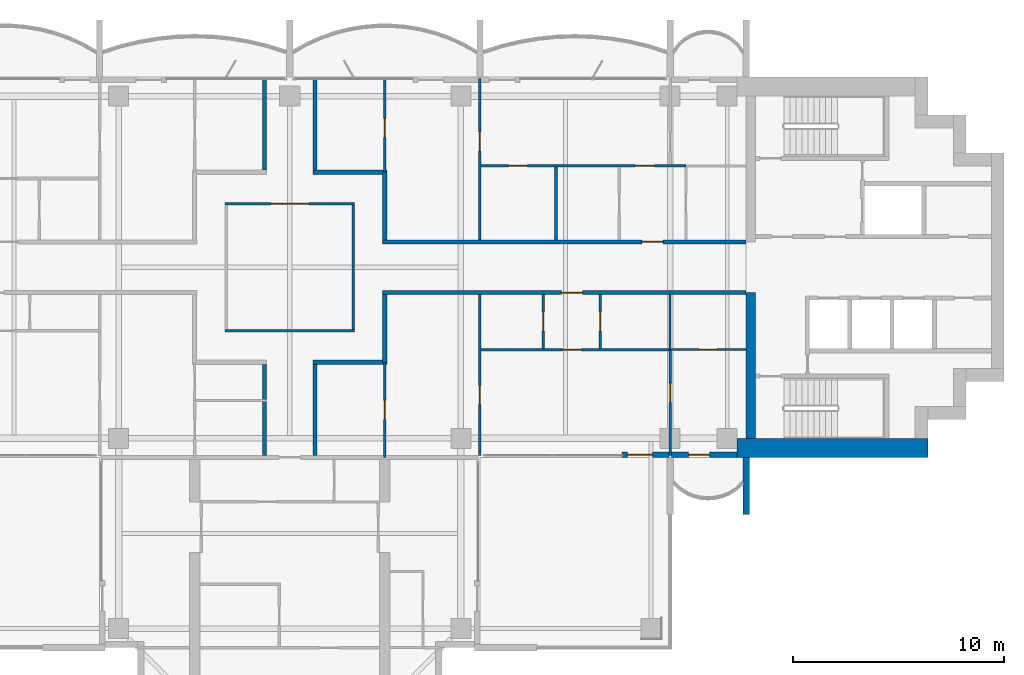
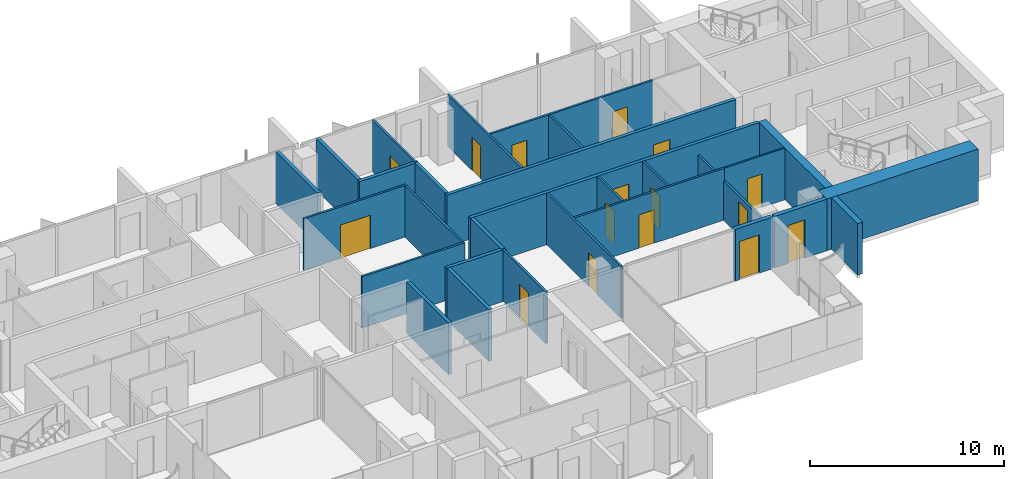
# One storey, part 11 of 17: 30 walls, 16 doors, 16 openings.
"""IFC4 building model written with IfcOpenShell, lengths in metres."""

from ifc_helpers import new_model, si_unit, direction, frame, frame_2d, origin, place, context, subcontext, project, spatial, rectangle, extrude, material, layer, layer_set, type_object, element, fill, save


model = new_model("IFC4")

# Units and contexts
model_context = context("Model", 3, precision=1e-05, world=origin(), true_north=direction((0.0, 1.0)))
body_context = subcontext(model_context, "Body", "Model", "MODEL_VIEW")
ifc_project = project(units=[si_unit("LENGTHUNIT", "METRE"), si_unit("AREAUNIT", "SQUARE_METRE"), si_unit("VOLUMEUNIT", "CUBIC_METRE"), si_unit("PLANEANGLEUNIT", "RADIAN"), si_unit("MASSUNIT", "GRAM", prefix="KILO")], contexts=[model_context])

# Site, building, storey
site_placement = place(None, origin())
site = spatial("IfcSite", under=ifc_project, at=site_placement, CompositionType="ELEMENT")
building_placement = place(site_placement, origin())
building = spatial("IfcBuilding", under=site, at=building_placement, Name="Perihelion Cross Residences", CompositionType="ELEMENT")
storey_placement = place(building_placement, frame((0.0, 0.0, 201.60009765625)))
storey = spatial("IfcBuildingStorey", under=building, at=storey_placement, Name="L50", CompositionType="ELEMENT", Elevation=201.60009765625)

# Wall, opening, door
ifc_material_1 = material(Name="Plasterboard partition")
ifc_layer_1 = layer(ifc_material_1, 0.199951171875)
ifc_layer_set_1 = layer_set([ifc_layer_1], Name="Apartment separation wall 200")
wall_type_1 = type_object("IfcWallType", Name="Apartment separation wall 200", PredefinedType="PARTITIONING", material=ifc_layer_set_1)
wall_1_placement = place(storey_placement, frame((4.39990234375, 1.199951171875, 0.0), z_axis=(0.0, 0.0, 1.0), x_axis=(1.0, 0.0, 0.0)))
wall_1 = element("IfcWall", 1, at=wall_1_placement, inside=storey, type_object=wall_type_1, Name="Partition L50 W005", PredefinedType="PARTITIONING", context=body_context, shape_type="SweptSolid", body=[
    extrude(rectangle(XDim=17.2001953125, YDim=0.199951171875, at=frame_2d((8.60009765625, 0.0))), origin(), (0.0, 0.0, 1.0), 3.25),
])
opening_1_placement = place(wall_1_placement, frame((12.27490234375, 0.0, 0.0)))
opening_1 = element("IfcOpeningElement", 2, at=opening_1_placement, cuts=wall_1, Name="Opening L50.A38", PredefinedType="OPENING", context=body_context, shape_type="SweptSolid", body=[
    extrude(rectangle(XDim=1.0, YDim=2.10009765625, at=frame_2d((0.5, 1.050048828125))), frame((0.0, 0.10986328125, 0.0), z_axis=(0.0, -1.0, 0.0), x_axis=(1.0, 0.0, 0.0)), (0.0, 0.0, 1.0), 0.219970703125),
])
ifc_material_2 = material(Name="Timber door leaf", Category="wood")
door_type_1 = type_object("IfcDoorType", Name="Flat entrance door 1000 x 2100", OperationType="SINGLE_SWING_LEFT", PredefinedType="DOOR", material=ifc_material_2)
door_1_placement = place(opening_1_placement, origin())
door_1 = element("IfcDoor", 3, at=door_1_placement, inside=storey, type_object=door_type_1, Name="Door L50.A38", OperationType="SINGLE_SWING_LEFT", OverallHeight=2.10009765625, OverallWidth=1.0, PredefinedType="DOOR", context=body_context, shape_type="SweptSolid", body=[
    extrude(rectangle(XDim=1.0, YDim=2.10009765625, at=frame_2d((0.5, 1.050048828125))), frame((0.0, 0.02490234375, 0.0), z_axis=(0.0, -1.0, 0.0), x_axis=(1.0, 0.0, 0.0)), (0.0, 0.0, 1.0), 0.050048828125),
])
fill(opening_1, door_1)

# Walls
wall_2_placement = place(storey_placement, frame((4.5, 4.5, 0.0), z_axis=(0.0, 0.0, 1.0), x_axis=(0.0, -1.0, 0.0)))
element("IfcWall", 4, at=wall_2_placement, inside=storey, type_object=wall_type_1, Name="Partition L50 W006", PredefinedType="PARTITIONING", context=body_context, shape_type="SweptSolid", body=[
    extrude(rectangle(XDim=3.199951171875, YDim=0.199951171875, at=frame_2d((1.60009765625, 0.0))), origin(), (0.0, 0.0, 1.0), 3.25),
])
wall_3_placement = place(storey_placement, frame((1.199951171875, 8.919921875, 0.0), z_axis=(0.0, 0.0, 1.0), x_axis=(0.0, -1.0, 0.0)))
element("IfcWall", 5, at=wall_3_placement, inside=storey, type_object=wall_type_1, Name="Partition L50 W007", PredefinedType="PARTITIONING", context=body_context, shape_type="SweptSolid", body=[
    extrude(rectangle(XDim=4.31982421875, YDim=0.199951171875, at=frame_2d((2.159912109375, 0.0))), origin(), (0.0, 0.0, 1.0), 3.25),
])
wall_4_placement = place(storey_placement, frame((1.10009765625, 4.5, 0.0), z_axis=(0.0, 0.0, 1.0), x_axis=(1.0, 0.0, 0.0)))
element("IfcWall", 6, at=wall_4_placement, inside=storey, type_object=wall_type_1, Name="Partition L50 W008", PredefinedType="PARTITIONING", context=body_context, shape_type="SweptSolid", body=[
    extrude(rectangle(XDim=3.5, YDim=0.199951171875, at=frame_2d((1.75, 0.0))), origin(), (0.0, 0.0, 1.0), 3.25),
])

# Wall, opening, door
wall_5_placement = place(storey_placement, frame((21.60009765625, -1.199951171875, 0.0), z_axis=(0.0, 0.0, 1.0), x_axis=(-1.0, 0.0, 0.0)))
wall_5 = element("IfcWall", 7, at=wall_5_placement, inside=storey, type_object=wall_type_1, Name="Partition L50 W009", PredefinedType="PARTITIONING", context=body_context, shape_type="SweptSolid", body=[
    extrude(rectangle(XDim=17.2001953125, YDim=0.199951171875, at=frame_2d((8.60009765625, 0.0))), origin(), (0.0, 0.0, 1.0), 3.25),
])
opening_2_placement = place(wall_5_placement, frame((7.75, 0.0, 0.0)))
opening_2 = element("IfcOpeningElement", 8, at=opening_2_placement, cuts=wall_5, Name="Opening L50.A39", PredefinedType="OPENING", context=body_context, shape_type="SweptSolid", body=[
    extrude(rectangle(XDim=1.0, YDim=2.10009765625, at=frame_2d((0.5, 1.050048828125))), frame((0.0, 0.10986328125, 0.0), z_axis=(0.0, -1.0, 0.0), x_axis=(1.0, 0.0, 0.0)), (0.0, 0.0, 1.0), 0.219970703125),
])
door_2_placement = place(opening_2_placement, origin())
door_2 = element("IfcDoor", 9, at=door_2_placement, inside=storey, type_object=door_type_1, Name="Door L50.A39", OperationType="SINGLE_SWING_LEFT", OverallHeight=2.10009765625, OverallWidth=1.0, PredefinedType="DOOR", context=body_context, shape_type="SweptSolid", body=[
    extrude(rectangle(XDim=1.0, YDim=2.10009765625, at=frame_2d((0.5, 1.050048828125))), frame((0.0, 0.02490234375, 0.0), z_axis=(0.0, -1.0, 0.0), x_axis=(1.0, 0.0, 0.0)), (0.0, 0.0, 1.0), 0.050048828125),
])
fill(opening_2, door_2)

# Walls
wall_6_placement = place(storey_placement, frame((4.5, -1.300048828125, 0.0), z_axis=(0.0, 0.0, 1.0), x_axis=(0.0, -1.0, 0.0)))
element("IfcWall", 10, at=wall_6_placement, inside=storey, type_object=wall_type_1, Name="Partition L50 W010", PredefinedType="PARTITIONING", context=body_context, shape_type="SweptSolid", body=[
    extrude(rectangle(XDim=3.199951171875, YDim=0.199951171875, at=frame_2d((1.60009765625, 0.0))), origin(), (0.0, 0.0, 1.0), 3.25),
])
wall_7_placement = place(storey_placement, frame((4.60009765625, -4.5, 0.0), z_axis=(0.0, 0.0, 1.0), x_axis=(-1.0, 0.0, 0.0)))
element("IfcWall", 11, at=wall_7_placement, inside=storey, type_object=wall_type_1, Name="Partition L50 W011", PredefinedType="PARTITIONING", context=body_context, shape_type="SweptSolid", body=[
    extrude(rectangle(XDim=3.5, YDim=0.199951171875, at=frame_2d((1.75, 0.0))), origin(), (0.0, 0.0, 1.0), 3.25),
])
wall_8_placement = place(storey_placement, frame((1.199951171875, -4.60009765625, 0.0), z_axis=(0.0, 0.0, 1.0), x_axis=(0.0, -1.0, 0.0)))
element("IfcWall", 12, at=wall_8_placement, inside=storey, type_object=wall_type_1, Name="Partition L50 W012", PredefinedType="PARTITIONING", context=body_context, shape_type="SweptSolid", body=[
    extrude(rectangle(XDim=4.2998046875, YDim=0.199951171875, at=frame_2d((2.14990234375, 0.0))), origin(), (0.0, 0.0, 1.0), 3.25),
])
wall_9_placement = place(storey_placement, frame((-1.199951171875, 4.60009765625, 0.0), z_axis=(0.0, 0.0, 1.0), x_axis=(0.0, 1.0, 0.0)))
element("IfcWall", 13, at=wall_9_placement, inside=storey, type_object=wall_type_1, Name="Partition L50 W016", PredefinedType="PARTITIONING", context=body_context, shape_type="SweptSolid", body=[
    extrude(rectangle(XDim=4.31982421875, YDim=0.199951171875, at=frame_2d((2.159912109375, 0.0))), origin(), (0.0, 0.0, 1.0), 3.25),
])
wall_10_placement = place(storey_placement, frame((-1.199951171875, -8.89990234375, 0.0), z_axis=(0.0, 0.0, 1.0), x_axis=(0.0, 1.0, 0.0)))
element("IfcWall", 14, at=wall_10_placement, inside=storey, type_object=wall_type_1, Name="Partition L50 W019", PredefinedType="PARTITIONING", context=body_context, shape_type="SweptSolid", body=[
    extrude(rectangle(XDim=4.2998046875, YDim=0.199951171875, at=frame_2d((2.14990234375, 0.0))), origin(), (0.0, 0.0, 1.0), 3.25),
])

# Wall, opening, door
ifc_material_3 = material(Name="Concrete C30/37, bronze-clad", Category="concrete")
ifc_layer_2 = layer(ifc_material_3, 0.25)
ifc_layer_set_2 = layer_set([ifc_layer_2], Name="Bronze-clad pier wall 250")
wall_type_2 = type_object("IfcWallType", Name="Bronze-clad pier wall 250", PredefinedType="SOLIDWALL", material=ifc_layer_set_2)
wall_11_placement = place(storey_placement, frame((15.72509765625, -8.875, 0.0), z_axis=(0.0, 0.0, 1.0), x_axis=(1.0, 0.0, 0.0)))
wall_11 = element("IfcWall", 15, at=wall_11_placement, inside=storey, type_object=wall_type_2, Name="Wall FW1 L50 east side south bay 1 pier", PredefinedType="SOLIDWALL", context=body_context, shape_type="SweptSolid", body=[
    extrude(rectangle(XDim=2.21484375, YDim=0.25, at=frame_2d((1.107421875, 0.0))), origin(), (0.0, 0.0, 1.0), 3.25),
])
opening_3_placement = place(wall_11_placement, frame((0.25, 0.0, 0.0)))
opening_3 = element("IfcOpeningElement", 16, at=opening_3_placement, cuts=wall_11, Name="Opening L50.E13", PredefinedType="OPENING", context=body_context, shape_type="SweptSolid", body=[
    extrude(rectangle(XDim=1.199951171875, YDim=2.39990234375, at=frame_2d((0.60009765625, 1.199951171875))), frame((0.0, 0.135009765625, 0.0), z_axis=(0.0, -1.0, 0.0), x_axis=(1.0, 0.0, 0.0)), (0.0, 0.0, 1.0), 0.27001953125),
])
ifc_material_4 = material(Name="Bronze anodised aluminium, glazed", Category="aluminium")
door_type_2 = type_object("IfcDoorType", Name="Balcony door 1200 x 2400", OperationType="NOTDEFINED", PredefinedType="DOOR", material=ifc_material_4)
door_3_placement = place(opening_3_placement, origin())
door_3 = element("IfcDoor", 17, at=door_3_placement, inside=storey, type_object=door_type_2, Name="Door L50.E13 east side south bay 1", OperationType="SINGLE_SWING_LEFT", OverallHeight=2.39990234375, OverallWidth=1.199951171875, PredefinedType="DOOR", context=body_context, shape_type="SweptSolid", body=[
    extrude(rectangle(XDim=1.199951171875, YDim=2.39990234375, at=frame_2d((0.60009765625, 1.199951171875))), frame((0.0, 0.02490234375, 0.0), z_axis=(0.0, -1.0, 0.0), x_axis=(1.0, 0.0, 0.0)), (0.0, 0.0, 1.0), 0.050048828125),
])
fill(opening_3, door_3)

wall_12_placement = place(storey_placement, frame((18.06005859375, -8.875, 0.0), z_axis=(0.0, 0.0, 1.0), x_axis=(1.0, 0.0, 0.0)))
wall_12 = element("IfcWall", 18, at=wall_12_placement, inside=storey, type_object=wall_type_2, Name="Wall FW1 L50 east side south bay 2 pier", PredefinedType="SOLIDWALL", context=body_context, shape_type="SweptSolid", body=[
    extrude(rectangle(XDim=3.114990234375, YDim=0.25, at=frame_2d((1.5576171875, 0.0))), origin(), (0.0, 0.0, 1.0), 3.25),
])
opening_4_placement = place(wall_12_placement, frame((0.81494140625, 0.0, 0.0)))
opening_4 = element("IfcOpeningElement", 19, at=opening_4_placement, cuts=wall_12, Name="Opening L50.E14", PredefinedType="OPENING", context=body_context, shape_type="SweptSolid", body=[
    extrude(rectangle(XDim=1.0, YDim=2.39990234375, at=frame_2d((0.5, 1.199951171875))), frame((0.0, 0.135009765625, 0.0), z_axis=(0.0, -1.0, 0.0), x_axis=(1.0, 0.0, 0.0)), (0.0, 0.0, 1.0), 0.27001953125),
])
ifc_material_5 = material(Name="Bronze anodised aluminium, glazed", Category="aluminium")
door_type_3 = type_object("IfcDoorType", Name="Balcony door 1000 x 2400", OperationType="NOTDEFINED", PredefinedType="DOOR", material=ifc_material_5)
door_4_placement = place(opening_4_placement, origin())
door_4 = element("IfcDoor", 20, at=door_4_placement, inside=storey, type_object=door_type_3, Name="Door L50.E14 east side south bay 2", OperationType="SINGLE_SWING_RIGHT", OverallHeight=2.39990234375, OverallWidth=1.0, PredefinedType="DOOR", context=body_context, shape_type="SweptSolid", body=[
    extrude(rectangle(XDim=1.0, YDim=2.39990234375, at=frame_2d((0.5, 1.199951171875))), frame((0.0, 0.02490234375, 0.0), z_axis=(0.0, -1.0, 0.0), x_axis=(1.0, 0.0, 0.0)), (0.0, 0.0, 1.0), 0.050048828125),
])
fill(opening_4, door_4)

# Walls
ifc_material_6 = material(Name="Concrete C60/75", Category="concrete")
ifc_layer_3 = layer(ifc_material_6, 0.449951171875)
ifc_layer_set_3 = layer_set([ifc_layer_3], Name="Core wall, inner 450")
wall_type_3 = type_object("IfcWallType", Name="Core wall, inner 450", PredefinedType="SHEAR", material=ifc_layer_set_3)
wall_13_placement = place(storey_placement, frame((21.824951171875, -8.10009765625, 0.0), z_axis=(0.0, 0.0, 1.0), x_axis=(0.0, 1.0, 0.0)))
element("IfcWall", 21, at=wall_13_placement, inside=storey, type_object=wall_type_3, Name="East core core wall, inner", PredefinedType="SHEAR", context=body_context, shape_type="SweptSolid", body=[
    extrude(rectangle(XDim=6.900146484375, YDim=0.449951171875, at=frame_2d((3.4501953125, 0.0))), origin(), (0.0, 0.0, 1.0), 3.25),
])
ifc_material_7 = material(Name="Concrete C60/75", Category="concrete")
ifc_layer_4 = layer(ifc_material_7, 0.89990234375)
ifc_layer_set_4 = layer_set([ifc_layer_4], Name="Core wall, outer 900")
wall_type_4 = type_object("IfcWallType", Name="Core wall, outer 900", PredefinedType="SHEAR", material=ifc_layer_set_4)
wall_14_placement = place(storey_placement, frame((21.175048828125, -8.550048828125, 0.0), z_axis=(0.0, 0.0, 1.0), x_axis=(1.0, 0.0, 0.0)))
element("IfcWall", 22, at=wall_14_placement, inside=storey, type_object=wall_type_4, Name="East core core wall, outer", PredefinedType="SHEAR", context=body_context, shape_type="SweptSolid", body=[
    extrude(rectangle(XDim=9.02490234375, YDim=0.89990234375, at=frame_2d((4.512451171875, 0.0))), origin(), (0.0, 0.0, 1.0), 3.25),
])
ifc_material_8 = material(Name="Plasterboard partition")
ifc_layer_5 = layer(ifc_material_8, 0.1201171875)
ifc_layer_set_5 = layer_set([ifc_layer_5], Name="Partition wall 120")
wall_type_5 = type_object("IfcWallType", Name="Partition wall 120", PredefinedType="PARTITIONING", material=ifc_layer_set_5)
wall_15_placement = place(storey_placement, frame((-3.06005859375, -3.0, 0.0), z_axis=(0.0, 0.0, 1.0), x_axis=(1.0, 0.0, 0.0)))
element("IfcWall", 23, at=wall_15_placement, inside=storey, type_object=wall_type_5, Name="Partition L50 W001", PredefinedType="PARTITIONING", context=body_context, shape_type="SweptSolid", body=[
    extrude(rectangle(XDim=6.1201171875, YDim=0.1201171875, at=frame_2d((3.06005859375, 0.0))), origin(), (0.0, 0.0, 1.0), 3.25),
])
wall_16_placement = place(storey_placement, frame((3.0, -2.93994140625, 0.0), z_axis=(0.0, 0.0, 1.0), x_axis=(0.0, 1.0, 0.0)))
element("IfcWall", 24, at=wall_16_placement, inside=storey, type_object=wall_type_5, Name="Partition L50 W002", PredefinedType="PARTITIONING", context=body_context, shape_type="SweptSolid", body=[
    extrude(rectangle(XDim=5.8798828125, YDim=0.1201171875, at=frame_2d((2.93994140625, 0.0))), origin(), (0.0, 0.0, 1.0), 3.25),
])

# Wall, opening, door
wall_17_placement = place(storey_placement, frame((3.06005859375, 3.0, 0.0), z_axis=(0.0, 0.0, 1.0), x_axis=(-1.0, 0.0, 0.0)))
wall_17 = element("IfcWall", 25, at=wall_17_placement, inside=storey, type_object=wall_type_5, Name="Partition L50 W003", PredefinedType="PARTITIONING", context=body_context, shape_type="SweptSolid", body=[
    extrude(rectangle(XDim=6.1201171875, YDim=0.1201171875, at=frame_2d((3.06005859375, 0.0))), origin(), (0.0, 0.0, 1.0), 3.25),
])
opening_5_placement = place(wall_17_placement, frame((2.159912109375, 0.0, 0.0)))
opening_5 = element("IfcOpeningElement", 26, at=opening_5_placement, cuts=wall_17, Name="Opening L50.A01", PredefinedType="OPENING", context=body_context, shape_type="SweptSolid", body=[
    extrude(rectangle(XDim=1.800048828125, YDim=2.10009765625, at=frame_2d((0.89990234375, 1.050048828125))), frame((0.0, 0.070068359375, 0.0), z_axis=(0.0, -1.0, 0.0), x_axis=(1.0, 0.0, 0.0)), (0.0, 0.0, 1.0), 0.14013671875),
])
ifc_material_9 = material(Name="Glazed timber door leaf", Category="wood")
door_type_4 = type_object("IfcDoorType", Name="Interior double leaf door 1800 x 2100", OperationType="DOUBLE_DOOR_SINGLE_SWING", PredefinedType="DOOR", material=ifc_material_9)
door_5_placement = place(opening_5_placement, origin())
door_5 = element("IfcDoor", 27, at=door_5_placement, inside=storey, type_object=door_type_4, Name="Door L50.A01", OperationType="SINGLE_SWING_LEFT", OverallHeight=2.10009765625, OverallWidth=1.800048828125, PredefinedType="DOOR", context=body_context, shape_type="SweptSolid", body=[
    extrude(rectangle(XDim=1.800048828125, YDim=2.10009765625, at=frame_2d((0.89990234375, 1.050048828125))), frame((0.0, 0.02490234375, 0.0), z_axis=(0.0, -1.0, 0.0), x_axis=(1.0, 0.0, 0.0)), (0.0, 0.0, 1.0), 0.050048828125),
])
fill(opening_5, door_5)

# Wall
wall_18_placement = place(storey_placement, frame((12.60009765625, 4.739990234375, 0.0), z_axis=(0.0, 0.0, 1.0), x_axis=(0.0, -1.0, 0.0)))
element("IfcWall", 28, at=wall_18_placement, inside=storey, type_object=wall_type_5, Name="Partition L50 W022", PredefinedType="PARTITIONING", context=body_context, shape_type="SweptSolid", body=[
    extrude(rectangle(XDim=3.43994140625, YDim=0.1201171875, at=frame_2d((1.719970703125, 0.0))), origin(), (0.0, 0.0, 1.0), 3.25),
])

# Wall, openings, doors
wall_19_placement = place(storey_placement, frame((8.93994140625, 4.800048828125, 0.0), z_axis=(0.0, 0.0, 1.0), x_axis=(1.0, 0.0, 0.0)))
wall_19 = element("IfcWall", 29, at=wall_19_placement, inside=storey, type_object=wall_type_5, Name="Partition L50 W023", PredefinedType="PARTITIONING", context=body_context, shape_type="SweptSolid", body=[
    extrude(rectangle(XDim=9.81005859375, YDim=0.1201171875, at=frame_2d((4.905029296875, 0.0))), origin(), (0.0, 0.0, 1.0), 3.25),
])
opening_6_placement = place(wall_19_placement, frame((1.409912109375, 0.0, 0.0)))
opening_6 = element("IfcOpeningElement", 30, at=opening_6_placement, cuts=wall_19, Name="Opening L50.A05", PredefinedType="OPENING", context=body_context, shape_type="SweptSolid", body=[
    extrude(rectangle(XDim=0.89990234375, YDim=2.10009765625, at=frame_2d((0.449951171875, 1.050048828125))), frame((0.0, 0.070068359375, 0.0), z_axis=(0.0, -1.0, 0.0), x_axis=(1.0, 0.0, 0.0)), (0.0, 0.0, 1.0), 0.14013671875),
])
opening_7_placement = place(wall_19_placement, frame((7.409912109375, 0.0, 0.0)))
opening_7 = element("IfcOpeningElement", 31, at=opening_7_placement, cuts=wall_19, Name="Opening L50.A06", PredefinedType="OPENING", context=body_context, shape_type="SweptSolid", body=[
    extrude(rectangle(XDim=0.89990234375, YDim=2.10009765625, at=frame_2d((0.449951171875, 1.050048828125))), frame((0.0, 0.070068359375, 0.0), z_axis=(0.0, -1.0, 0.0), x_axis=(1.0, 0.0, 0.0)), (0.0, 0.0, 1.0), 0.14013671875),
])
ifc_material_10 = material(Name="Timber door leaf", Category="wood")
door_type_5 = type_object("IfcDoorType", Name="Interior room door 900 x 2100", OperationType="SINGLE_SWING_LEFT", PredefinedType="DOOR", material=ifc_material_10)
door_6_placement = place(opening_6_placement, origin())
door_6 = element("IfcDoor", 32, at=door_6_placement, inside=storey, type_object=door_type_5, Name="Door L50.A05", OperationType="SINGLE_SWING_RIGHT", OverallHeight=2.10009765625, OverallWidth=0.89990234375, PredefinedType="DOOR", context=body_context, shape_type="SweptSolid", body=[
    extrude(rectangle(XDim=0.89990234375, YDim=2.10009765625, at=frame_2d((0.449951171875, 1.050048828125))), frame((0.0, 0.02490234375, 0.0), z_axis=(0.0, -1.0, 0.0), x_axis=(1.0, 0.0, 0.0)), (0.0, 0.0, 1.0), 0.050048828125),
])
fill(opening_6, door_6)
door_7_placement = place(opening_7_placement, origin())
door_7 = element("IfcDoor", 33, at=door_7_placement, inside=storey, type_object=door_type_5, Name="Door L50.A06", OperationType="SINGLE_SWING_LEFT", OverallHeight=2.10009765625, OverallWidth=0.89990234375, PredefinedType="DOOR", context=body_context, shape_type="SweptSolid", body=[
    extrude(rectangle(XDim=0.89990234375, YDim=2.10009765625, at=frame_2d((0.449951171875, 1.050048828125))), frame((0.0, 0.02490234375, 0.0), z_axis=(0.0, -1.0, 0.0), x_axis=(1.0, 0.0, 0.0)), (0.0, 0.0, 1.0), 0.050048828125),
])
fill(opening_7, door_7)

# Wall, opening, door
wall_20_placement = place(storey_placement, frame((9.0, 1.300048828125, 0.0), z_axis=(0.0, 0.0, 1.0), x_axis=(0.0, 1.0, 0.0)))
wall_20 = element("IfcWall", 34, at=wall_20_placement, inside=storey, type_object=wall_type_5, Name="Partition L50 W024", PredefinedType="PARTITIONING", context=body_context, shape_type="SweptSolid", body=[
    extrude(rectangle(XDim=7.619873046875, YDim=0.1201171875, at=frame_2d((3.81005859375, 0.0))), origin(), (0.0, 0.0, 1.0), 3.25),
])
opening_8_placement = place(wall_20_placement, frame((4.199951171875, 0.0, 0.0)))
opening_8 = element("IfcOpeningElement", 35, at=opening_8_placement, cuts=wall_20, Name="Opening L50.A07", PredefinedType="OPENING", context=body_context, shape_type="SweptSolid", body=[
    extrude(rectangle(XDim=0.89990234375, YDim=2.10009765625, at=frame_2d((0.449951171875, 1.050048828125))), frame((0.0, 0.070068359375, 0.0), z_axis=(0.0, -1.0, 0.0), x_axis=(1.0, 0.0, 0.0)), (0.0, 0.0, 1.0), 0.14013671875),
])
door_8_placement = place(opening_8_placement, origin())
door_8 = element("IfcDoor", 36, at=door_8_placement, inside=storey, type_object=door_type_5, Name="Door L50.A07", OperationType="SINGLE_SWING_LEFT", OverallHeight=2.10009765625, OverallWidth=0.89990234375, PredefinedType="DOOR", context=body_context, shape_type="SweptSolid", body=[
    extrude(rectangle(XDim=0.89990234375, YDim=2.10009765625, at=frame_2d((0.449951171875, 1.050048828125))), frame((0.0, 0.02490234375, 0.0), z_axis=(0.0, -1.0, 0.0), x_axis=(1.0, 0.0, 0.0)), (0.0, 0.0, 1.0), 0.050048828125),
])
fill(opening_8, door_8)

wall_21_placement = place(storey_placement, frame((4.5, 4.5, 0.0), z_axis=(0.0, 0.0, 1.0), x_axis=(0.0, 1.0, 0.0)))
wall_21 = element("IfcWall", 37, at=wall_21_placement, inside=storey, type_object=wall_type_5, Name="Partition L50 W029", PredefinedType="PARTITIONING", context=body_context, shape_type="SweptSolid", body=[
    extrude(rectangle(XDim=4.419921875, YDim=0.1201171875, at=frame_2d((2.2099609375, 0.0))), origin(), (0.0, 0.0, 1.0), 3.25),
])
opening_9_placement = place(wall_21_placement, frame((1.64990234375, 0.0, 0.0)))
opening_9 = element("IfcOpeningElement", 38, at=opening_9_placement, cuts=wall_21, Name="Opening L50.A03", PredefinedType="OPENING", context=body_context, shape_type="SweptSolid", body=[
    extrude(rectangle(XDim=0.89990234375, YDim=2.10009765625, at=frame_2d((0.449951171875, 1.050048828125))), frame((0.0, 0.070068359375, 0.0), z_axis=(0.0, -1.0, 0.0), x_axis=(1.0, 0.0, 0.0)), (0.0, 0.0, 1.0), 0.14013671875),
])
door_9_placement = place(opening_9_placement, origin())
door_9 = element("IfcDoor", 39, at=door_9_placement, inside=storey, type_object=door_type_5, Name="Door L50.A03", OperationType="SINGLE_SWING_LEFT", OverallHeight=2.10009765625, OverallWidth=0.89990234375, PredefinedType="DOOR", context=body_context, shape_type="SweptSolid", body=[
    extrude(rectangle(XDim=0.89990234375, YDim=2.10009765625, at=frame_2d((0.449951171875, 1.050048828125))), frame((0.0, 0.02490234375, 0.0), z_axis=(0.0, -1.0, 0.0), x_axis=(1.0, 0.0, 0.0)), (0.0, 0.0, 1.0), 0.050048828125),
])
fill(opening_9, door_9)

wall_22_placement = place(storey_placement, frame((12.0, -1.300048828125, 0.0), z_axis=(0.0, 0.0, 1.0), x_axis=(0.0, -1.0, 0.0)))
wall_22 = element("IfcWall", 40, at=wall_22_placement, inside=storey, type_object=wall_type_5, Name="Partition L50 W030", PredefinedType="PARTITIONING", context=body_context, shape_type="SweptSolid", body=[
    extrude(rectangle(XDim=2.5400390625, YDim=0.1201171875, at=frame_2d((1.27001953125, 0.0))), origin(), (0.0, 0.0, 1.0), 3.25),
])
opening_10_placement = place(wall_22_placement, frame((0.820068359375, 0.0, 0.0)))
opening_10 = element("IfcOpeningElement", 41, at=opening_10_placement, cuts=wall_22, Name="Opening L50.A12", PredefinedType="OPENING", context=body_context, shape_type="SweptSolid", body=[
    extrude(rectangle(XDim=0.89990234375, YDim=2.10009765625, at=frame_2d((0.449951171875, 1.050048828125))), frame((0.0, 0.070068359375, 0.0), z_axis=(0.0, -1.0, 0.0), x_axis=(1.0, 0.0, 0.0)), (0.0, 0.0, 1.0), 0.14013671875),
])
door_10_placement = place(opening_10_placement, origin())
door_10 = element("IfcDoor", 42, at=door_10_placement, inside=storey, type_object=door_type_5, Name="Door L50.A12", OperationType="SINGLE_SWING_LEFT", OverallHeight=2.10009765625, OverallWidth=0.89990234375, PredefinedType="DOOR", context=body_context, shape_type="SweptSolid", body=[
    extrude(rectangle(XDim=0.89990234375, YDim=2.10009765625, at=frame_2d((0.449951171875, 1.050048828125))), frame((0.0, 0.02490234375, 0.0), z_axis=(0.0, -1.0, 0.0), x_axis=(1.0, 0.0, 0.0)), (0.0, 0.0, 1.0), 0.050048828125),
])
fill(opening_10, door_10)

wall_23_placement = place(storey_placement, frame((18.0, -3.89990234375, 0.0), z_axis=(0.0, 0.0, 1.0), x_axis=(-1.0, 0.0, 0.0)))
wall_23 = element("IfcWall", 43, at=wall_23_placement, inside=storey, type_object=wall_type_5, Name="Partition L50 W031", PredefinedType="PARTITIONING", context=body_context, shape_type="SweptSolid", body=[
    extrude(rectangle(XDim=9.06005859375, YDim=0.1201171875, at=frame_2d((4.530029296875, 0.0))), origin(), (0.0, 0.0, 1.0), 3.25),
])
opening_11_placement = place(wall_23_placement, frame((4.199951171875, 0.0, 0.0)))
opening_11 = element("IfcOpeningElement", 44, at=opening_11_placement, cuts=wall_23, Name="Opening L50.A13", PredefinedType="OPENING", context=body_context, shape_type="SweptSolid", body=[
    extrude(rectangle(XDim=0.89990234375, YDim=2.10009765625, at=frame_2d((0.449951171875, 1.050048828125))), frame((0.0, 0.070068359375, 0.0), z_axis=(0.0, -1.0, 0.0), x_axis=(1.0, 0.0, 0.0)), (0.0, 0.0, 1.0), 0.14013671875),
])
door_11_placement = place(opening_11_placement, origin())
door_11 = element("IfcDoor", 45, at=door_11_placement, inside=storey, type_object=door_type_5, Name="Door L50.A13", OperationType="SINGLE_SWING_LEFT", OverallHeight=2.10009765625, OverallWidth=0.89990234375, PredefinedType="DOOR", context=body_context, shape_type="SweptSolid", body=[
    extrude(rectangle(XDim=0.89990234375, YDim=2.10009765625, at=frame_2d((0.449951171875, 1.050048828125))), frame((0.0, 0.02490234375, 0.0), z_axis=(0.0, -1.0, 0.0), x_axis=(1.0, 0.0, 0.0)), (0.0, 0.0, 1.0), 0.050048828125),
])
fill(opening_11, door_11)

wall_24_placement = place(storey_placement, frame((9.0, -8.919921875, 0.0), z_axis=(0.0, 0.0, 1.0), x_axis=(0.0, 1.0, 0.0)))
wall_24 = element("IfcWall", 46, at=wall_24_placement, inside=storey, type_object=wall_type_5, Name="Partition L50 W032", PredefinedType="PARTITIONING", context=body_context, shape_type="SweptSolid", body=[
    extrude(rectangle(XDim=7.619873046875, YDim=0.1201171875, at=frame_2d((3.81005859375, 0.0))), origin(), (0.0, 0.0, 1.0), 3.25),
])
opening_12_placement = place(wall_24_placement, frame((2.419921875, 0.0, 0.0)))
opening_12 = element("IfcOpeningElement", 47, at=opening_12_placement, cuts=wall_24, Name="Opening L50.A15", PredefinedType="OPENING", context=body_context, shape_type="SweptSolid", body=[
    extrude(rectangle(XDim=0.89990234375, YDim=2.10009765625, at=frame_2d((0.449951171875, 1.050048828125))), frame((0.0, 0.070068359375, 0.0), z_axis=(0.0, -1.0, 0.0), x_axis=(1.0, 0.0, 0.0)), (0.0, 0.0, 1.0), 0.14013671875),
])
door_12_placement = place(opening_12_placement, origin())
door_12 = element("IfcDoor", 48, at=door_12_placement, inside=storey, type_object=door_type_5, Name="Door L50.A15", OperationType="SINGLE_SWING_LEFT", OverallHeight=2.10009765625, OverallWidth=0.89990234375, PredefinedType="DOOR", context=body_context, shape_type="SweptSolid", body=[
    extrude(rectangle(XDim=0.89990234375, YDim=2.10009765625, at=frame_2d((0.449951171875, 1.050048828125))), frame((0.0, 0.02490234375, 0.0), z_axis=(0.0, -1.0, 0.0), x_axis=(1.0, 0.0, 0.0)), (0.0, 0.0, 1.0), 0.050048828125),
])
fill(opening_12, door_12)

wall_25_placement = place(storey_placement, frame((14.699951171875, -1.300048828125, 0.0), z_axis=(0.0, 0.0, 1.0), x_axis=(0.0, -1.0, 0.0)))
wall_25 = element("IfcWall", 49, at=wall_25_placement, inside=storey, type_object=wall_type_5, Name="Partition L50 W033", PredefinedType="PARTITIONING", context=body_context, shape_type="SweptSolid", body=[
    extrude(rectangle(XDim=2.5400390625, YDim=0.1201171875, at=frame_2d((1.27001953125, 0.0))), origin(), (0.0, 0.0, 1.0), 3.25),
])
opening_13_placement = place(wall_25_placement, frame((0.820068359375, 0.0, 0.0)))
opening_13 = element("IfcOpeningElement", 50, at=opening_13_placement, cuts=wall_25, Name="Opening L50.A14", PredefinedType="OPENING", context=body_context, shape_type="SweptSolid", body=[
    extrude(rectangle(XDim=0.89990234375, YDim=2.10009765625, at=frame_2d((0.449951171875, 1.050048828125))), frame((0.0, 0.070068359375, 0.0), z_axis=(0.0, -1.0, 0.0), x_axis=(1.0, 0.0, 0.0)), (0.0, 0.0, 1.0), 0.14013671875),
])
door_13_placement = place(opening_13_placement, origin())
door_13 = element("IfcDoor", 51, at=door_13_placement, inside=storey, type_object=door_type_5, Name="Door L50.A14", OperationType="SINGLE_SWING_RIGHT", OverallHeight=2.10009765625, OverallWidth=0.89990234375, PredefinedType="DOOR", context=body_context, shape_type="SweptSolid", body=[
    extrude(rectangle(XDim=0.89990234375, YDim=2.10009765625, at=frame_2d((0.449951171875, 1.050048828125))), frame((0.0, 0.02490234375, 0.0), z_axis=(0.0, -1.0, 0.0), x_axis=(1.0, 0.0, 0.0)), (0.0, 0.0, 1.0), 0.050048828125),
])
fill(opening_13, door_13)

wall_26_placement = place(storey_placement, frame((18.0, -3.89990234375, 0.0), z_axis=(0.0, 0.0, 1.0), x_axis=(0.0, -1.0, 0.0)))
wall_26 = element("IfcWall", 52, at=wall_26_placement, inside=storey, type_object=wall_type_5, Name="Partition L50 W036", PredefinedType="PARTITIONING", context=body_context, shape_type="SweptSolid", body=[
    extrude(rectangle(XDim=5.02001953125, YDim=0.1201171875, at=frame_2d((2.510009765625, 0.0))), origin(), (0.0, 0.0, 1.0), 2.47998046875),
])
opening_14_placement = place(wall_26_placement, frame((1.60009765625, 0.0, 0.0)))
opening_14 = element("IfcOpeningElement", 53, at=opening_14_placement, cuts=wall_26, Name="Opening L50.A09", PredefinedType="OPENING", context=body_context, shape_type="SweptSolid", body=[
    extrude(rectangle(XDim=0.89990234375, YDim=2.10009765625, at=frame_2d((0.449951171875, 1.050048828125))), frame((0.0, 0.070068359375, 0.0), z_axis=(0.0, -1.0, 0.0), x_axis=(1.0, 0.0, 0.0)), (0.0, 0.0, 1.0), 0.14013671875),
])
door_14_placement = place(opening_14_placement, origin())
door_14 = element("IfcDoor", 54, at=door_14_placement, inside=storey, type_object=door_type_5, Name="Door L50.A09", OperationType="SINGLE_SWING_LEFT", OverallHeight=2.10009765625, OverallWidth=0.89990234375, PredefinedType="DOOR", context=body_context, shape_type="SweptSolid", body=[
    extrude(rectangle(XDim=0.89990234375, YDim=2.10009765625, at=frame_2d((0.449951171875, 1.050048828125))), frame((0.0, 0.02490234375, 0.0), z_axis=(0.0, -1.0, 0.0), x_axis=(1.0, 0.0, 0.0)), (0.0, 0.0, 1.0), 0.050048828125),
])
fill(opening_14, door_14)

wall_27_placement = place(storey_placement, frame((4.5, -9.0, 0.0), z_axis=(0.0, 0.0, 1.0), x_axis=(0.0, 1.0, 0.0)))
wall_27 = element("IfcWall", 55, at=wall_27_placement, inside=storey, type_object=wall_type_5, Name="Partition L50 W037", PredefinedType="PARTITIONING", context=body_context, shape_type="SweptSolid", body=[
    extrude(rectangle(XDim=4.5, YDim=0.1201171875, at=frame_2d((2.25, 0.0))), origin(), (0.0, 0.0, 1.0), 3.25),
])
opening_15_placement = place(wall_27_placement, frame((1.800048828125, 0.0, 0.0)))
opening_15 = element("IfcOpeningElement", 56, at=opening_15_placement, cuts=wall_27, Name="Opening L50.A10", PredefinedType="OPENING", context=body_context, shape_type="SweptSolid", body=[
    extrude(rectangle(XDim=0.89990234375, YDim=2.10009765625, at=frame_2d((0.449951171875, 1.050048828125))), frame((0.0, 0.070068359375, 0.0), z_axis=(0.0, -1.0, 0.0), x_axis=(1.0, 0.0, 0.0)), (0.0, 0.0, 1.0), 0.14013671875),
])
door_15_placement = place(opening_15_placement, origin())
door_15 = element("IfcDoor", 57, at=door_15_placement, inside=storey, type_object=door_type_5, Name="Door L50.A10", OperationType="SINGLE_SWING_LEFT", OverallHeight=2.10009765625, OverallWidth=0.89990234375, PredefinedType="DOOR", context=body_context, shape_type="SweptSolid", body=[
    extrude(rectangle(XDim=0.89990234375, YDim=2.10009765625, at=frame_2d((0.449951171875, 1.050048828125))), frame((0.0, 0.02490234375, 0.0), z_axis=(0.0, -1.0, 0.0), x_axis=(1.0, 0.0, 0.0)), (0.0, 0.0, 1.0), 0.050048828125),
])
fill(opening_15, door_15)

# Walls
ifc_material_11 = material(Name="Precast concrete C50/60", Category="concrete")
ifc_layer_6 = layer(ifc_material_11, 0.300048828125)
ifc_layer_set_6 = layer_set([ifc_layer_6], Name="Precast concrete C50/60 blade wall 300")
wall_type_6 = type_object("IfcWallType", Name="Precast concrete C50/60 blade wall 300", PredefinedType="SOLIDWALL", material=ifc_layer_set_6)
wall_28_placement = place(storey_placement, frame((21.60009765625, -9.0, 0.0), z_axis=(0.0, 0.0, 1.0), x_axis=(0.0, -1.0, 0.0)))
element("IfcWall", 58, at=wall_28_placement, inside=storey, type_object=wall_type_6, Name="Wall BL1 L50 no. 12", PredefinedType="SOLIDWALL", context=body_context, shape_type="SweptSolid", body=[
    extrude(rectangle(XDim=2.699951171875, YDim=0.300048828125, at=frame_2d((1.35009765625, 0.0))), origin(), (0.0, 0.0, 1.0), 3.25),
])
ifc_material_12 = material(Name="Plasterboard partition")
ifc_layer_7 = layer(ifc_material_12, 0.10009765625)
ifc_layer_set_7 = layer_set([ifc_layer_7], Name="Wet room wall 100")
wall_type_7 = type_object("IfcWallType", Name="Wet room wall 100", PredefinedType="PARTITIONING", material=ifc_layer_set_7)
wall_29_placement = place(storey_placement, frame((18.0, -1.300048828125, 0.0), z_axis=(0.0, 0.0, 1.0), x_axis=(0.0, -1.0, 0.0)))
element("IfcWall", 59, at=wall_29_placement, inside=storey, type_object=wall_type_7, Name="Partition L50 W034", PredefinedType="PARTITIONING", context=body_context, shape_type="SweptSolid", body=[
    extrude(rectangle(XDim=2.599853515625, YDim=0.10009765625, at=frame_2d((1.2998046875, 0.0))), origin(), (0.0, 0.0, 1.0), 2.47998046875),
])

# Wall, opening, door
wall_30_placement = place(storey_placement, frame((21.60009765625, -3.89990234375, 0.0), z_axis=(0.0, 0.0, 1.0), x_axis=(-1.0, 0.0, 0.0)))
wall_30 = element("IfcWall", 60, at=wall_30_placement, inside=storey, type_object=wall_type_7, Name="Partition L50 W035", PredefinedType="PARTITIONING", context=body_context, shape_type="SweptSolid", body=[
    extrude(rectangle(XDim=3.60009765625, YDim=0.10009765625, at=frame_2d((1.800048828125, 0.0))), origin(), (0.0, 0.0, 1.0), 3.25),
])
opening_16_placement = place(wall_30_placement, frame((1.375, 0.0, 0.0)))
opening_16 = element("IfcOpeningElement", 61, at=opening_16_placement, cuts=wall_30, Name="Opening L50.A11", PredefinedType="OPENING", context=body_context, shape_type="SweptSolid", body=[
    extrude(rectangle(XDim=0.85009765625, YDim=2.10009765625, at=frame_2d((0.425048828125, 1.050048828125))), frame((0.0, 0.06005859375, 0.0), z_axis=(0.0, -1.0, 0.0), x_axis=(1.0, 0.0, 0.0)), (0.0, 0.0, 1.0), 0.1201171875),
])
ifc_material_13 = material(Name="Timber door leaf", Category="wood")
door_type_6 = type_object("IfcDoorType", Name="Interior bathroom door 850 x 2100", OperationType="SINGLE_SWING_LEFT", PredefinedType="DOOR", material=ifc_material_13)
door_16_placement = place(opening_16_placement, origin())
door_16 = element("IfcDoor", 62, at=door_16_placement, inside=storey, type_object=door_type_6, Name="Door L50.A11", OperationType="SINGLE_SWING_RIGHT", OverallHeight=2.10009765625, OverallWidth=0.85009765625, PredefinedType="DOOR", context=body_context, shape_type="SweptSolid", body=[
    extrude(rectangle(XDim=0.85009765625, YDim=2.10009765625, at=frame_2d((0.425048828125, 1.050048828125))), frame((0.0, 0.02490234375, 0.0), z_axis=(0.0, -1.0, 0.0), x_axis=(1.0, 0.0, 0.0)), (0.0, 0.0, 1.0), 0.050048828125),
])
fill(opening_16, door_16)

save(model, "model.ifc")
